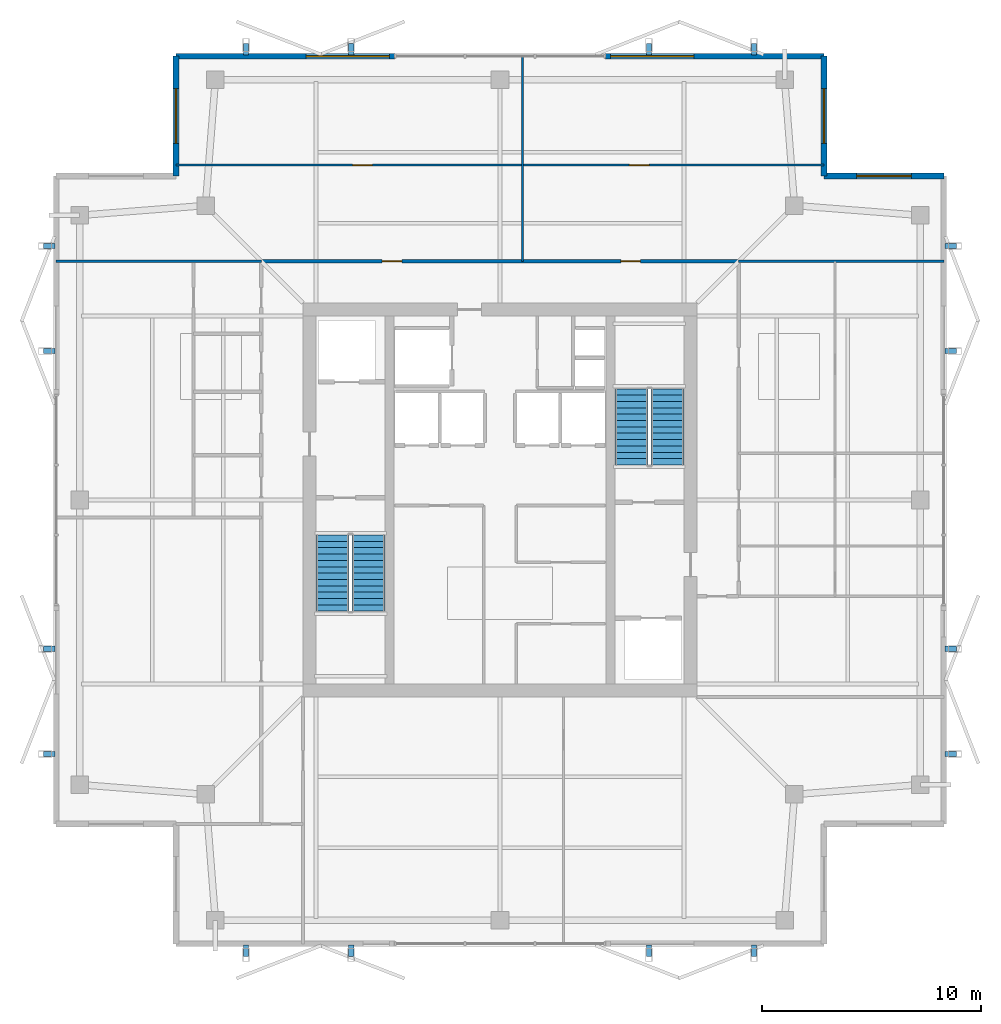
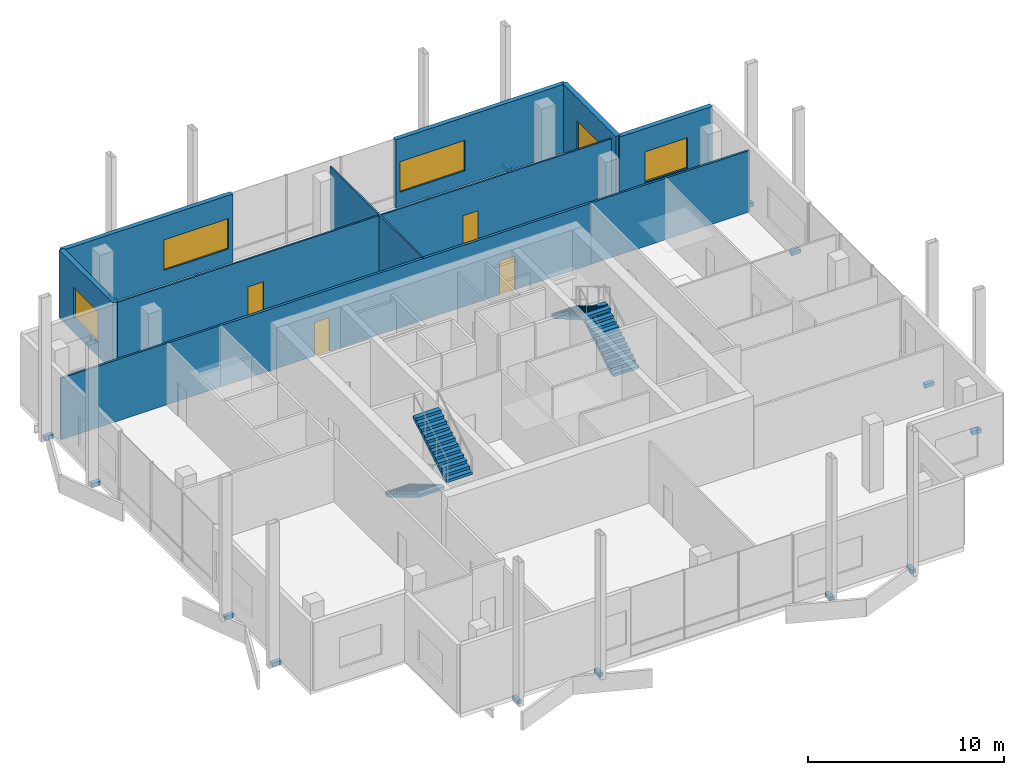
# One storey, part 14 of 15: 16 discrete accessories, 11 walls, 5 windows, 4 doors, 4 stair flights, 9 openings, 2 elements without a shape of their own.
"""IFC4 building model written with IfcOpenShell, lengths in metres."""

from ifc_helpers import new_model, si_unit, direction, frame, frame_2d, origin, origin_2d, place, context, subcontext, project, spatial, polyline, rectangle, outline, extrude, material, layer, layer_set, type_object, element, fill, aggregate, save


model = new_model("IFC4")

# Units and contexts
model_context = context("Model", 3, precision=1e-05, world=origin(), true_north=direction((0.0, 1.0)))
body_context = subcontext(model_context, "Body", "Model", "MODEL_VIEW")
ifc_project = project(units=[si_unit("LENGTHUNIT", "METRE"), si_unit("AREAUNIT", "SQUARE_METRE"), si_unit("VOLUMEUNIT", "CUBIC_METRE"), si_unit("PLANEANGLEUNIT", "RADIAN"), si_unit("MASSUNIT", "GRAM", prefix="KILO")], contexts=[model_context])

# Site, building, storey
site_placement = place(None, origin())
site = spatial("IfcSite", under=ifc_project, at=site_placement, CompositionType="ELEMENT")
building_placement = place(site_placement, origin())
building = spatial("IfcBuilding", under=site, at=building_placement, Name="Belovzor Exchange Tower", CompositionType="ELEMENT")
storey_placement = place(building_placement, frame((0.0, 0.0, 360.0)))
storey = spatial("IfcBuildingStorey", under=building, at=storey_placement, Name="L90", CompositionType="ELEMENT", Elevation=360.0)

# Walls
ifc_material_1 = material(Name="Acoustic Plasterboard on Galvanised Studs", Category="gypsum")
ifc_layer_1 = layer(ifc_material_1, 0.1201171875)
ifc_layer_set_1 = layer_set([ifc_layer_1], Name="Acoustic Plasterboard on Galvanised Studs")
wall_type_1 = type_object("IfcWallType", Name="Acoustic Double-Stud Partition Wall 120", PredefinedType="PARTITIONING", material=ifc_layer_set_1)
wall_1_placement = place(storey_placement, frame((8.530029296875, 39.699951171875, 0.0), z_axis=(0.0, 0.0, 1.0), x_axis=(1.0, 0.0, 0.0)))
element("IfcWall", 1, at=wall_1_placement, inside=storey, type_object=wall_type_1, Name="W-P120 Partition Wall W-L90-END-NW", PredefinedType="PARTITIONING", context=body_context, shape_type="SweptSolid", body=[
    extrude(rectangle(XDim=9.369873046875, YDim=0.1201171875, at=frame_2d((4.68505859375, 0.0))), origin(), (0.0, 0.0, 1.0), 3.824951171875),
])
wall_2_placement = place(storey_placement, frame((39.699951171875, 39.699951171875, 0.0), z_axis=(0.0, 0.0, 1.0), x_axis=(1.0, 0.0, 0.0)))
element("IfcWall", 2, at=wall_2_placement, inside=storey, type_object=wall_type_1, Name="W-P120 Partition Wall W-L90-END-NE", PredefinedType="PARTITIONING", context=body_context, shape_type="SweptSolid", body=[
    extrude(rectangle(XDim=9.3701171875, YDim=0.1201171875, at=frame_2d((4.68505859375, 0.0))), origin(), (0.0, 0.0, 1.0), 3.824951171875),
])

# Wall, opening, door
ifc_material_2 = material(Name="Acoustic Laminated Glass and Aluminium", Category="aluminium")
ifc_layer_2 = layer(ifc_material_2, 0.10009765625)
ifc_layer_set_2 = layer_set([ifc_layer_2], Name="Acoustic Laminated Glass and Aluminium")
wall_type_2 = type_object("IfcWallType", Name="Demountable Executive Glass Partition 100", PredefinedType="MOVABLE", material=ifc_layer_set_2)
wall_3_placement = place(storey_placement, frame((14.0, 44.09912109375, 0.0), z_axis=(0.0, 0.0, 1.0), x_axis=(1.0, 0.0, 0.0)))
wall_3 = element("IfcWall", 3, at=wall_3_placement, inside=storey, type_object=wall_type_2, Name="W-M100 Partition Wall W-L90-NHDIV-0", PredefinedType="MOVABLE", context=body_context, shape_type="SweptSolid", body=[
    extrude(rectangle(XDim=15.83203125, YDim=0.10009765625, at=frame_2d((7.916015625, 0.0))), origin(), (0.0, 0.0, 1.0), 3.824951171875),
])
opening_1_placement = place(wall_3_placement, frame((8.072021484375, 0.0, 0.0)))
opening_1 = element("IfcOpeningElement", 4, at=opening_1_placement, cuts=wall_3, Name="Opening D-INT-090", PredefinedType="OPENING", context=body_context, shape_type="SweptSolid", body=[
    extrude(rectangle(XDim=0.89990234375, YDim=2.10009765625, at=frame_2d((0.449951171875, 1.050048828125))), frame((0.0, 0.06005859375, 0.0), z_axis=(0.0, -1.0, 0.0), x_axis=(1.0, 0.0, 0.0)), (0.0, 0.0, 1.0), 0.1201171875),
])
ifc_material_3 = material(Name="Veneered Hardwood Acoustic Leaf", Category="wood")
door_type = type_object("IfcDoorType", Name="Trading Suite Acoustic Single Door 900x2100", OperationType="NOTDEFINED", PredefinedType="DOOR", material=ifc_material_3)
door_1_placement = place(opening_1_placement, origin())
door_1 = element("IfcDoor", 5, at=door_1_placement, inside=storey, type_object=door_type, Name="D-INT-090 Trading Suite Acoustic Single Door 900x2100", OperationType="SINGLE_SWING_RIGHT", OverallHeight=2.10009765625, OverallWidth=0.89990234375, PredefinedType="DOOR", context=body_context, shape_type="SweptSolid", body=[
    extrude(rectangle(XDim=0.89990234375, YDim=2.10009765625, at=frame_2d((0.449951171875, 1.050048828125))), frame((0.0, 0.02490234375, 0.0), z_axis=(0.0, -1.0, 0.0), x_axis=(1.0, 0.0, 0.0)), (0.0, 0.0, 1.0), 0.050048828125),
])
fill(opening_1, door_1)

# Wall
wall_4_placement = place(storey_placement, frame((29.83203125, 39.699951171875, 0.0), z_axis=(0.0, 0.0, 1.0), x_axis=(0.0, 1.0, 0.0)))
element("IfcWall", 6, at=wall_4_placement, inside=storey, type_object=wall_type_2, Name="W-M100 Partition Wall W-L90-NDIV-1", PredefinedType="MOVABLE", context=body_context, shape_type="SweptSolid", body=[
    extrude(rectangle(XDim=9.3701171875, YDim=0.10009765625, at=frame_2d((4.68505859375, 0.0))), origin(), (0.0, 0.0, 1.0), 3.864990234375),
])

# Wall, opening, door
wall_5_placement = place(storey_placement, frame((29.83203125, 44.09912109375, 0.0), z_axis=(0.0, 0.0, 1.0), x_axis=(1.0, 0.0, 0.0)))
wall_5 = element("IfcWall", 7, at=wall_5_placement, inside=storey, type_object=wall_type_2, Name="W-M100 Partition Wall W-L90-NHDIV-1", PredefinedType="MOVABLE", context=body_context, shape_type="SweptSolid", body=[
    extrude(rectangle(XDim=13.76806640625, YDim=0.10009765625, at=frame_2d((6.884033203125, 0.0))), origin(), (0.0, 0.0, 1.0), 3.824951171875),
])
opening_2_placement = place(wall_5_placement, frame((4.8759765625, 0.0, 0.0)))
opening_2 = element("IfcOpeningElement", 8, at=opening_2_placement, cuts=wall_5, Name="Opening D-INT-090", PredefinedType="OPENING", context=body_context, shape_type="SweptSolid", body=[
    extrude(rectangle(XDim=0.89990234375, YDim=2.10009765625, at=frame_2d((0.449951171875, 1.050048828125))), frame((0.0, 0.06005859375, 0.0), z_axis=(0.0, -1.0, 0.0), x_axis=(1.0, 0.0, 0.0)), (0.0, 0.0, 1.0), 0.1201171875),
])
door_2_placement = place(opening_2_placement, origin())
door_2 = element("IfcDoor", 9, at=door_2_placement, inside=storey, type_object=door_type, Name="D-INT-090 Trading Suite Acoustic Single Door 900x2100", OperationType="SINGLE_SWING_RIGHT", OverallHeight=2.10009765625, OverallWidth=0.89990234375, PredefinedType="DOOR", context=body_context, shape_type="SweptSolid", body=[
    extrude(rectangle(XDim=0.89990234375, YDim=2.10009765625, at=frame_2d((0.449951171875, 1.050048828125))), frame((0.0, 0.02490234375, 0.0), z_axis=(0.0, -1.0, 0.0), x_axis=(1.0, 0.0, 0.0)), (0.0, 0.0, 1.0), 0.050048828125),
])
fill(opening_2, door_2)

# Wall, openings, doors
ifc_material_4 = material(Name="Fire-Rated Gypsum Block and Mineral Wool", Category="gypsum")
ifc_layer_3 = layer(ifc_material_4, 0.14990234375)
ifc_layer_set_3 = layer_set([ifc_layer_3], Name="Fire-Rated Gypsum Block and Mineral Wool")
wall_type_3 = type_object("IfcWallType", Name="Fire-Rated Gypsum Block Corridor Wall 150", PredefinedType="PARTITIONING", material=ifc_layer_set_3)
wall_6_placement = place(storey_placement, frame((17.89990234375, 39.699951171875, 0.0), z_axis=(0.0, 0.0, 1.0), x_axis=(1.0, 0.0, 0.0)))
wall_6 = element("IfcWall", 10, at=wall_6_placement, inside=storey, type_object=wall_type_3, Name="W-P150 Partition Wall W-L90-CN", PredefinedType="PARTITIONING", context=body_context, shape_type="SweptSolid", body=[
    extrude(rectangle(XDim=21.800048828125, YDim=0.14990234375, at=frame_2d((10.89990234375, 0.0))), origin(), (0.0, 0.0, 1.0), 3.824951171875),
])
opening_3_placement = place(wall_6_placement, frame((5.51611328125, 0.0, 0.0)))
opening_3 = element("IfcOpeningElement", 11, at=opening_3_placement, cuts=wall_6, Name="Opening D-INT-090", PredefinedType="OPENING", context=body_context, shape_type="SweptSolid", body=[
    extrude(rectangle(XDim=0.89990234375, YDim=2.10009765625, at=frame_2d((0.449951171875, 1.050048828125))), frame((0.0, 0.0849609375, 0.0), z_axis=(0.0, -1.0, 0.0), x_axis=(1.0, 0.0, 0.0)), (0.0, 0.0, 1.0), 0.169921875),
])
opening_4_placement = place(wall_6_placement, frame((16.416015625, 0.0, 0.0)))
opening_4 = element("IfcOpeningElement", 12, at=opening_4_placement, cuts=wall_6, Name="Opening D-INT-090", PredefinedType="OPENING", context=body_context, shape_type="SweptSolid", body=[
    extrude(rectangle(XDim=0.89990234375, YDim=2.10009765625, at=frame_2d((0.449951171875, 1.050048828125))), frame((0.0, 0.0849609375, 0.0), z_axis=(0.0, -1.0, 0.0), x_axis=(1.0, 0.0, 0.0)), (0.0, 0.0, 1.0), 0.169921875),
])
door_3_placement = place(opening_3_placement, origin())
door_3 = element("IfcDoor", 13, at=door_3_placement, inside=storey, type_object=door_type, Name="D-INT-090 Trading Suite Acoustic Single Door 900x2100", OperationType="SINGLE_SWING_RIGHT", OverallHeight=2.10009765625, OverallWidth=0.89990234375, PredefinedType="DOOR", context=body_context, shape_type="SweptSolid", body=[
    extrude(rectangle(XDim=0.89990234375, YDim=2.10009765625, at=frame_2d((0.449951171875, 1.050048828125))), frame((0.0, 0.02490234375, 0.0), z_axis=(0.0, -1.0, 0.0), x_axis=(1.0, 0.0, 0.0)), (0.0, 0.0, 1.0), 0.050048828125),
])
fill(opening_3, door_3)
door_4_placement = place(opening_4_placement, origin())
door_4 = element("IfcDoor", 14, at=door_4_placement, inside=storey, type_object=door_type, Name="D-INT-090 Trading Suite Acoustic Single Door 900x2100", OperationType="SINGLE_SWING_LEFT", OverallHeight=2.10009765625, OverallWidth=0.89990234375, PredefinedType="DOOR", context=body_context, shape_type="SweptSolid", body=[
    extrude(rectangle(XDim=0.89990234375, YDim=2.10009765625, at=frame_2d((0.449951171875, 1.050048828125))), frame((0.0, 0.02490234375, 0.0), z_axis=(0.0, -1.0, 0.0), x_axis=(1.0, 0.0, 0.0)), (0.0, 0.0, 1.0), 0.050048828125),
])
fill(opening_4, door_4)

# Wall, opening, window
ifc_material_5 = material(Name="Precast concrete C40/50", Category="concrete")
ifc_layer_4 = layer(ifc_material_5, 0.280029296875)
ifc_layer_set_4 = layer_set([ifc_layer_4], Name="Precast concrete C40/50")
wall_type_4 = type_object("IfcWallType", Name="Precast Concrete Notched Corner Frame Wall 280", PredefinedType="SOLIDWALL", material=ifc_layer_set_4)
wall_7_placement = place(storey_placement, frame((14.0, 43.60009765625, 0.0), z_axis=(0.0, 0.0, 1.0), x_axis=(0.0, 1.0, 0.0)))
wall_7 = element("IfcWall", 15, at=wall_7_placement, inside=storey, type_object=wall_type_4, Name="W-CRN280 Precast Concrete Notched Corner Frame Wall 280 L90", PredefinedType="SOLIDWALL", context=body_context, shape_type="SweptSolid", body=[
    extrude(rectangle(XDim=5.469970703125, YDim=0.280029296875, at=frame_2d((2.73486328125, 0.0))), origin(), (0.0, 0.0, 1.0), 4.239990234375),
])
opening_5_placement = place(wall_7_placement, frame((1.485107421875, 0.0, 0.89990234375)))
opening_5 = element("IfcOpeningElement", 16, at=opening_5_placement, cuts=wall_7, Name="Opening WN-CRN250", PredefinedType="OPENING", context=body_context, shape_type="SweptSolid", body=[
    extrude(rectangle(XDim=2.5, YDim=1.89990234375, at=frame_2d((1.25, 0.949951171875))), frame((0.0, 0.14990234375, 0.0), z_axis=(0.0, -1.0, 0.0), x_axis=(1.0, 0.0, 0.0)), (0.0, 0.0, 1.0), 0.300048828125),
])
ifc_material_6 = material(Name="Thermally Broken Aluminium and Triple Glazing", Category="aluminium")
window_type_1 = type_object("IfcWindowType", Name="Streamline Moderne Corner Wrap Ribbon Window 2500x1900", PartitioningType="SINGLE_PANEL", PredefinedType="WINDOW", material=ifc_material_6)
window_1_placement = place(opening_5_placement, origin())
window_1 = element("IfcWindow", 17, at=window_1_placement, inside=storey, type_object=window_type_1, Name="WN-CRN250 Streamline Moderne Corner Wrap Ribbon Window 2500x1900", OverallHeight=1.89990234375, OverallWidth=2.5, PartitioningType="SINGLE_PANEL", PredefinedType="WINDOW", context=body_context, shape_type="SweptSolid", body=[
    extrude(rectangle(XDim=2.5, YDim=1.89990234375, at=frame_2d((1.25, 0.949951171875))), frame((0.0, 0.030029296875, 0.0), z_axis=(0.0, -1.0, 0.0), x_axis=(1.0, 0.0, 0.0)), (0.0, 0.0, 1.0), 0.06005859375),
])
fill(opening_5, window_1)

wall_8_placement = place(storey_placement, frame((43.60009765625, 49.070068359375, 0.0), z_axis=(0.0, 0.0, 1.0), x_axis=(0.0, -1.0, 0.0)))
wall_8 = element("IfcWall", 18, at=wall_8_placement, inside=storey, type_object=wall_type_4, Name="W-CRN280 Precast Concrete Notched Corner Frame Wall 280 L90", PredefinedType="SOLIDWALL", context=body_context, shape_type="SweptSolid", body=[
    extrude(rectangle(XDim=5.469970703125, YDim=0.280029296875, at=frame_2d((2.73486328125, 0.0))), origin(), (0.0, 0.0, 1.0), 4.239990234375),
])
opening_6_placement = place(wall_8_placement, frame((1.485107421875, 0.0, 0.89990234375)))
opening_6 = element("IfcOpeningElement", 19, at=opening_6_placement, cuts=wall_8, Name="Opening WN-CRN250", PredefinedType="OPENING", context=body_context, shape_type="SweptSolid", body=[
    extrude(rectangle(XDim=2.5, YDim=1.89990234375, at=frame_2d((1.25, 0.949951171875))), frame((0.0, 0.14990234375, 0.0), z_axis=(0.0, -1.0, 0.0), x_axis=(1.0, 0.0, 0.0)), (0.0, 0.0, 1.0), 0.300048828125),
])
window_2_placement = place(opening_6_placement, origin())
window_2 = element("IfcWindow", 20, at=window_2_placement, inside=storey, type_object=window_type_1, Name="WN-CRN250 Streamline Moderne Corner Wrap Ribbon Window 2500x1900", OverallHeight=1.89990234375, OverallWidth=2.5, PartitioningType="SINGLE_PANEL", PredefinedType="WINDOW", context=body_context, shape_type="SweptSolid", body=[
    extrude(rectangle(XDim=2.5, YDim=1.89990234375, at=frame_2d((1.25, 0.949951171875))), frame((0.0, 0.030029296875, 0.0), z_axis=(0.0, -1.0, 0.0), x_axis=(1.0, 0.0, 0.0)), (0.0, 0.0, 1.0), 0.06005859375),
])
fill(opening_6, window_2)

wall_9_placement = place(storey_placement, frame((43.60009765625, 43.60009765625, 0.0), z_axis=(0.0, 0.0, 1.0), x_axis=(1.0, 0.0, 0.0)))
wall_9 = element("IfcWall", 21, at=wall_9_placement, inside=storey, type_object=wall_type_4, Name="W-CRN280 Precast Concrete Notched Corner Frame Wall 280 L90", PredefinedType="SOLIDWALL", context=body_context, shape_type="SweptSolid", body=[
    extrude(rectangle(XDim=5.469970703125, YDim=0.280029296875, at=frame_2d((2.73486328125, 0.0))), origin(), (0.0, 0.0, 1.0), 4.239990234375),
])
opening_7_placement = place(wall_9_placement, frame((1.485107421875, 0.0, 0.89990234375)))
opening_7 = element("IfcOpeningElement", 22, at=opening_7_placement, cuts=wall_9, Name="Opening WN-CRN250", PredefinedType="OPENING", context=body_context, shape_type="SweptSolid", body=[
    extrude(rectangle(XDim=2.5, YDim=1.89990234375, at=frame_2d((1.25, 0.949951171875))), frame((0.0, 0.14990234375, 0.0), z_axis=(0.0, -1.0, 0.0), x_axis=(1.0, 0.0, 0.0)), (0.0, 0.0, 1.0), 0.300048828125),
])
window_3_placement = place(opening_7_placement, origin())
window_3 = element("IfcWindow", 23, at=window_3_placement, inside=storey, type_object=window_type_1, Name="WN-CRN250 Streamline Moderne Corner Wrap Ribbon Window 2500x1900", OverallHeight=1.89990234375, OverallWidth=2.5, PartitioningType="SINGLE_PANEL", PredefinedType="WINDOW", context=body_context, shape_type="SweptSolid", body=[
    extrude(rectangle(XDim=2.5, YDim=1.89990234375, at=frame_2d((1.25, 0.949951171875))), frame((0.0, 0.030029296875, 0.0), z_axis=(0.0, -1.0, 0.0), x_axis=(1.0, 0.0, 0.0)), (0.0, 0.0, 1.0), 0.06005859375),
])
fill(opening_7, window_3)

ifc_material_7 = material(Name="Precast concrete C40/50", Category="concrete")
ifc_layer_5 = layer(ifc_material_7, 0.260009765625)
ifc_layer_set_5 = layer_set([ifc_layer_5], Name="Precast concrete C40/50")
wall_type_5 = type_object("IfcWallType", Name="Precast Concrete Perimeter Loggia Frame Wall 260", PredefinedType="SOLIDWALL", material=ifc_layer_set_5)
wall_10_placement = place(storey_placement, frame((14.0, 49.070068359375, 0.0), z_axis=(0.0, 0.0, 1.0), x_axis=(1.0, 0.0, 0.0)))
wall_10 = element("IfcWall", 24, at=wall_10_placement, inside=storey, type_object=wall_type_5, Name="W-EXT260 Precast Concrete Perimeter Loggia Frame Wall 260 L90", PredefinedType="SOLIDWALL", context=body_context, shape_type="SweptSolid", body=[
    extrude(rectangle(XDim=10.0, YDim=0.260009765625, at=frame_2d((5.0, 0.0))), origin(), (0.0, 0.0, 1.0), 4.239990234375),
])
opening_8_placement = place(wall_10_placement, frame((5.949951171875, 0.0, 0.89990234375)))
opening_8 = element("IfcOpeningElement", 25, at=opening_8_placement, cuts=wall_10, Name="Opening WN-RIB380", PredefinedType="OPENING", context=body_context, shape_type="SweptSolid", body=[
    extrude(rectangle(XDim=3.800048828125, YDim=1.89990234375, at=frame_2d((1.89990234375, 0.949951171875))), frame((0.0, 0.139892578125, 0.0), z_axis=(0.0, -1.0, 0.0), x_axis=(1.0, 0.0, 0.0)), (0.0, 0.0, 1.0), 0.280029296875),
])
ifc_material_8 = material(Name="Thermally Broken Aluminium and Triple Glazing", Category="aluminium")
window_type_2 = type_object("IfcWindowType", Name="Streamline Moderne Horizontal Ribbon Window 3800x1900", PartitioningType="SINGLE_PANEL", PredefinedType="WINDOW", material=ifc_material_8)
window_4_placement = place(opening_8_placement, origin())
window_4 = element("IfcWindow", 26, at=window_4_placement, inside=storey, type_object=window_type_2, Name="WN-RIB380 Streamline Moderne Horizontal Ribbon Window 3800x1900", OverallHeight=1.89990234375, OverallWidth=3.800048828125, PartitioningType="SINGLE_PANEL", PredefinedType="WINDOW", context=body_context, shape_type="SweptSolid", body=[
    extrude(rectangle(XDim=3.800048828125, YDim=1.89990234375, at=frame_2d((1.89990234375, 0.949951171875))), frame((0.0, 0.030029296875, 0.0), z_axis=(0.0, -1.0, 0.0), x_axis=(1.0, 0.0, 0.0)), (0.0, 0.0, 1.0), 0.06005859375),
])
fill(opening_8, window_4)

wall_11_placement = place(storey_placement, frame((33.60009765625, 49.070068359375, 0.0), z_axis=(0.0, 0.0, 1.0), x_axis=(1.0, 0.0, 0.0)))
wall_11 = element("IfcWall", 27, at=wall_11_placement, inside=storey, type_object=wall_type_5, Name="W-EXT260 Precast Concrete Perimeter Loggia Frame Wall 260 L90", PredefinedType="SOLIDWALL", context=body_context, shape_type="SweptSolid", body=[
    extrude(rectangle(XDim=10.0, YDim=0.260009765625, at=frame_2d((5.0, 0.0))), origin(), (0.0, 0.0, 1.0), 4.239990234375),
])
opening_9_placement = place(wall_11_placement, frame((0.25, 0.0, 0.89990234375)))
opening_9 = element("IfcOpeningElement", 28, at=opening_9_placement, cuts=wall_11, Name="Opening WN-RIB380", PredefinedType="OPENING", context=body_context, shape_type="SweptSolid", body=[
    extrude(rectangle(XDim=3.800048828125, YDim=1.89990234375, at=frame_2d((1.89990234375, 0.949951171875))), frame((0.0, 0.139892578125, 0.0), z_axis=(0.0, -1.0, 0.0), x_axis=(1.0, 0.0, 0.0)), (0.0, 0.0, 1.0), 0.280029296875),
])
window_5_placement = place(opening_9_placement, origin())
window_5 = element("IfcWindow", 29, at=window_5_placement, inside=storey, type_object=window_type_2, Name="WN-RIB380 Streamline Moderne Horizontal Ribbon Window 3800x1900", OverallHeight=1.89990234375, OverallWidth=3.800048828125, PartitioningType="SINGLE_PANEL", PredefinedType="WINDOW", context=body_context, shape_type="SweptSolid", body=[
    extrude(rectangle(XDim=3.800048828125, YDim=1.89990234375, at=frame_2d((1.89990234375, 0.949951171875))), frame((0.0, 0.030029296875, 0.0), z_axis=(0.0, -1.0, 0.0), x_axis=(1.0, 0.0, 0.0)), (0.0, 0.0, 1.0), 0.06005859375),
])
fill(opening_9, window_5)

# Stair, stair flights
ifc_material_9 = material(Name="Concrete C40/50", Category="concrete")
stair_type = type_object("IfcStairType", Name="Reinforced Concrete Dogleg Escape Stair 1350", PredefinedType="HALF_TURN_STAIR", material=ifc_material_9)
stair_1_placement = place(storey_placement, origin())
stair_1 = element("IfcStair", 30, at=stair_1_placement, inside=storey, type_object=stair_type, Name="L90 ST-1", PredefinedType="HALF_TURN_STAIR")
ifc_material_10 = material(Name="Concrete C40/50", Category="concrete")
stair_flight_type = type_object("IfcStairFlightType", Name="Reinforced Concrete Stair Flight 1350", PredefinedType="STRAIGHT", material=ifc_material_10)
stair_flight_1_placement = place(storey_placement, frame((21.14990234375, 27.199951171875, 0.0), z_axis=(0.0, 0.0, 1.0), x_axis=(0.0, -1.0, 0.0)))
stair_flight_1 = element("IfcStairFlight", 31, at=stair_flight_1_placement, type_object=stair_flight_type, Name="ST-1 flight 1", NumberOfRisers=13, NumberOfTreads=12, PredefinedType="STRAIGHT", RiserHeight=0.173076923, TreadLength=0.29, context=body_context, shape_type="SweptSolid", body=[
    extrude(outline(polyline([(0.0, 0.0), (0.0, 0.173095703125), (0.2900390625, 0.173095703125), (0.2900390625, 0.34619140625), (0.580078125, 0.34619140625), (0.580078125, 0.519287109375), (0.8701171875, 0.519287109375), (0.8701171875, 0.6923828125), (1.159912109375, 0.6923828125), (1.159912109375, 0.865478515625), (1.449951171875, 0.865478515625), (1.449951171875, 1.03857421875), (1.739990234375, 1.03857421875), (1.739990234375, 1.21142578125), (2.030029296875, 1.21142578125), (2.030029296875, 1.384521484375), (2.320068359375, 1.384521484375), (2.320068359375, 1.5576171875), (2.610107421875, 1.5576171875), (2.610107421875, 1.730712890625), (2.89990234375, 1.730712890625), (2.89990234375, 1.90380859375), (3.18994140625, 1.90380859375), (3.18994140625, 2.076904296875), (3.47998046875, 2.076904296875), (3.47998046875, 2.25), (3.47998046875, 1.90234375), (0.29248046875, 0.0), (0.0, 0.0)])), frame((0.0, 0.75, 0.0), z_axis=(0.0, -1.0, 0.0), x_axis=(1.0, 0.0, 0.0)), (0.0, 0.0, 1.0), 1.5),
])
stair_flight_2_placement = place(storey_placement, frame((22.800048828125, 23.719970703125, 2.25), z_axis=(0.0, 0.0, 1.0), x_axis=(0.0, 1.0, 0.0)))
stair_flight_2 = element("IfcStairFlight", 32, at=stair_flight_2_placement, type_object=stair_flight_type, Name="ST-1 flight 2", NumberOfRisers=13, NumberOfTreads=12, PredefinedType="STRAIGHT", RiserHeight=0.173076923, TreadLength=0.29, context=body_context, shape_type="SweptSolid", body=[
    extrude(outline(polyline([(0.0, 0.0), (0.0, 0.173095703125), (0.2900390625, 0.173095703125), (0.2900390625, 0.34619140625), (0.580078125, 0.34619140625), (0.580078125, 0.519287109375), (0.8701171875, 0.519287109375), (0.8701171875, 0.6923828125), (1.159912109375, 0.6923828125), (1.159912109375, 0.865478515625), (1.449951171875, 0.865478515625), (1.449951171875, 1.03857421875), (1.739990234375, 1.03857421875), (1.739990234375, 1.21142578125), (2.030029296875, 1.21142578125), (2.030029296875, 1.384521484375), (2.320068359375, 1.384521484375), (2.320068359375, 1.5576171875), (2.610107421875, 1.5576171875), (2.610107421875, 1.730712890625), (2.89990234375, 1.730712890625), (2.89990234375, 1.90380859375), (3.18994140625, 1.90380859375), (3.18994140625, 2.076904296875), (3.47998046875, 2.076904296875), (3.47998046875, 2.25), (3.47998046875, 1.90234375), (0.29248046875, 0.0), (0.0, 0.0)])), frame((0.0, 0.75, 0.0), z_axis=(0.0, -1.0, 0.0), x_axis=(1.0, 0.0, 0.0)), (0.0, 0.0, 1.0), 1.5),
])
aggregate(stair_1, [stair_flight_1, stair_flight_2])

stair_2_placement = place(storey_placement, origin())
stair_2 = element("IfcStair", 33, at=stair_2_placement, inside=storey, type_object=stair_type, Name="L90 ST-2", PredefinedType="HALF_TURN_STAIR")
stair_flight_3_placement = place(storey_placement, frame((36.449951171875, 30.39990234375, 0.0), z_axis=(0.0, 0.0, 1.0), x_axis=(0.0, 1.0, 0.0)))
stair_flight_3 = element("IfcStairFlight", 34, at=stair_flight_3_placement, type_object=stair_flight_type, Name="ST-2 flight 1", NumberOfRisers=13, NumberOfTreads=12, PredefinedType="STRAIGHT", RiserHeight=0.173076923, TreadLength=0.29, context=body_context, shape_type="SweptSolid", body=[
    extrude(outline(polyline([(0.0, 0.0), (0.0, 0.173095703125), (0.2900390625, 0.173095703125), (0.2900390625, 0.34619140625), (0.580078125, 0.34619140625), (0.580078125, 0.519287109375), (0.8701171875, 0.519287109375), (0.8701171875, 0.6923828125), (1.159912109375, 0.6923828125), (1.159912109375, 0.865478515625), (1.449951171875, 0.865478515625), (1.449951171875, 1.03857421875), (1.739990234375, 1.03857421875), (1.739990234375, 1.21142578125), (2.030029296875, 1.21142578125), (2.030029296875, 1.384521484375), (2.320068359375, 1.384521484375), (2.320068359375, 1.5576171875), (2.610107421875, 1.5576171875), (2.610107421875, 1.730712890625), (2.89990234375, 1.730712890625), (2.89990234375, 1.90380859375), (3.18994140625, 1.90380859375), (3.18994140625, 2.076904296875), (3.47998046875, 2.076904296875), (3.47998046875, 2.25), (3.47998046875, 1.90234375), (0.29248046875, 0.0), (0.0, 0.0)])), frame((0.0, 0.75, 0.0), z_axis=(0.0, -1.0, 0.0), x_axis=(1.0, 0.0, 0.0)), (0.0, 0.0, 1.0), 1.5),
])
stair_flight_4_placement = place(storey_placement, frame((34.800048828125, 33.8798828125, 2.25), z_axis=(0.0, 0.0, 1.0), x_axis=(0.0, -1.0, 0.0)))
stair_flight_4 = element("IfcStairFlight", 35, at=stair_flight_4_placement, type_object=stair_flight_type, Name="ST-2 flight 2", NumberOfRisers=13, NumberOfTreads=12, PredefinedType="STRAIGHT", RiserHeight=0.173076923, TreadLength=0.29, context=body_context, shape_type="SweptSolid", body=[
    extrude(outline(polyline([(0.0, 0.0), (0.0, 0.173095703125), (0.2900390625, 0.173095703125), (0.2900390625, 0.34619140625), (0.580078125, 0.34619140625), (0.580078125, 0.519287109375), (0.8701171875, 0.519287109375), (0.8701171875, 0.6923828125), (1.159912109375, 0.6923828125), (1.159912109375, 0.865478515625), (1.449951171875, 0.865478515625), (1.449951171875, 1.03857421875), (1.739990234375, 1.03857421875), (1.739990234375, 1.21142578125), (2.030029296875, 1.21142578125), (2.030029296875, 1.384521484375), (2.320068359375, 1.384521484375), (2.320068359375, 1.5576171875), (2.610107421875, 1.5576171875), (2.610107421875, 1.730712890625), (2.89990234375, 1.730712890625), (2.89990234375, 1.90380859375), (3.18994140625, 1.90380859375), (3.18994140625, 2.076904296875), (3.47998046875, 2.076904296875), (3.47998046875, 2.25), (3.47998046875, 1.90234375), (0.29248046875, 0.0), (0.0, 0.0)])), frame((0.0, 0.75, 0.0), z_axis=(0.0, -1.0, 0.0), x_axis=(1.0, 0.0, 0.0)), (0.0, 0.0, 1.0), 1.5),
])
aggregate(stair_2, [stair_flight_3, stair_flight_4])

# Discrete accessories
ifc_material_11 = material(Name="Stainless Steel Grade 316", Category="steel")
ifc_layer_6 = layer(ifc_material_11, 0.179931640625)
ifc_layer_set_6 = layer_set([ifc_layer_6], Name="Stainless Steel Grade 316")
discrete_accessory_type = type_object("IfcDiscreteAccessoryType", Name="Stainless Steel Facade Outrigger Fixing Bracket", PredefinedType="BRACKET", material=ifc_layer_set_6)
for number, where, z_axis, x_axis, name in (
    (36, (17.199951171875, 8.212890625, -0.25), (0.0, 0.0, 1.0), (0.0, 1.0, 0.0), "BRK-FIN1 Sweeping Fin Outrigger Bracket L90 S1"),
    (37, (17.199951171875, 49.387939453125, -0.25), (0.0, 0.0, 1.0), (0.0, 1.0, 0.0), "BRK-FIN1 Sweeping Fin Outrigger Bracket L90 N1"),
    (38, (8.212890625, 17.199951171875, -0.25), (0.0, 0.0, 1.0), (1.0, 0.0, 0.0), "BRK-FIN1 Sweeping Fin Outrigger Bracket L90 W1"),
    (39, (49.387939453125, 17.199951171875, -0.25), (0.0, 0.0, 1.0), (1.0, 0.0, 0.0), "BRK-FIN1 Sweeping Fin Outrigger Bracket L90 E1"),
    (40, (22.0, 8.212890625, -0.25), (0.0, 0.0, 1.0), (0.0, 1.0, 0.0), "BRK-FIN1 Sweeping Fin Outrigger Bracket L90 S2"),
    (41, (22.0, 49.387939453125, -0.25), (0.0, 0.0, 1.0), (0.0, 1.0, 0.0), "BRK-FIN1 Sweeping Fin Outrigger Bracket L90 N2"),
    (42, (8.212890625, 22.0, -0.25), (0.0, 0.0, 1.0), (1.0, 0.0, 0.0), "BRK-FIN1 Sweeping Fin Outrigger Bracket L90 W2"),
    (43, (49.387939453125, 22.0, -0.25), (0.0, 0.0, 1.0), (1.0, 0.0, 0.0), "BRK-FIN1 Sweeping Fin Outrigger Bracket L90 E2"),
    (44, (35.60009765625, 8.212890625, -0.25), (0.0, 0.0, 1.0), (0.0, 1.0, 0.0), "BRK-FIN1 Sweeping Fin Outrigger Bracket L90 S3"),
    (45, (35.60009765625, 49.387939453125, -0.25), (0.0, 0.0, 1.0), (0.0, 1.0, 0.0), "BRK-FIN1 Sweeping Fin Outrigger Bracket L90 N3"),
    (46, (8.212890625, 35.60009765625, -0.25), (0.0, 0.0, 1.0), (1.0, 0.0, 0.0), "BRK-FIN1 Sweeping Fin Outrigger Bracket L90 W3"),
    (47, (49.387939453125, 35.60009765625, -0.25), (0.0, 0.0, 1.0), (1.0, 0.0, 0.0), "BRK-FIN1 Sweeping Fin Outrigger Bracket L90 E3"),
    (48, (40.39990234375, 8.212890625, -0.25), (0.0, 0.0, 1.0), (0.0, 1.0, 0.0), "BRK-FIN1 Sweeping Fin Outrigger Bracket L90 S4"),
    (49, (40.39990234375, 49.387939453125, -0.25), (0.0, 0.0, 1.0), (0.0, 1.0, 0.0), "BRK-FIN1 Sweeping Fin Outrigger Bracket L90 N4"),
    (50, (8.212890625, 40.39990234375, -0.25), (0.0, 0.0, 1.0), (1.0, 0.0, 0.0), "BRK-FIN1 Sweeping Fin Outrigger Bracket L90 W4"),
    (51, (49.387939453125, 40.39990234375, -0.25), (0.0, 0.0, 1.0), (1.0, 0.0, 0.0), "BRK-FIN1 Sweeping Fin Outrigger Bracket L90 E4"),
):
    element("IfcDiscreteAccessory", number, at=place(storey_placement, frame(where, z_axis=z_axis, x_axis=x_axis)), inside=storey, type_object=discrete_accessory_type, Name=name, PredefinedType="BRACKET", context=body_context, shape_type="SweptSolid", body=[
        extrude(rectangle(XDim=0.534912109375, YDim=0.239990234375, at=origin_2d()), origin(), (0.0, 0.0, 1.0), 0.239990234375),
    ])

save(model, "model.ifc")
